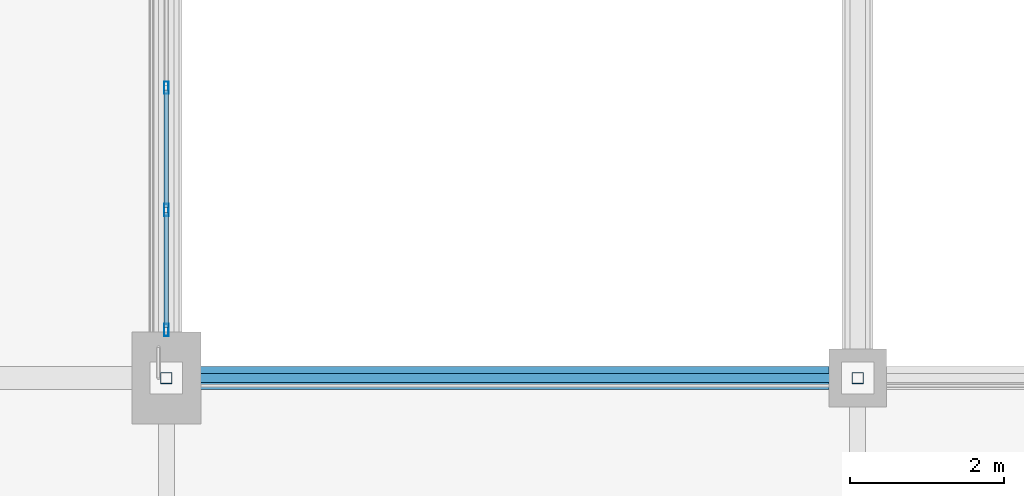
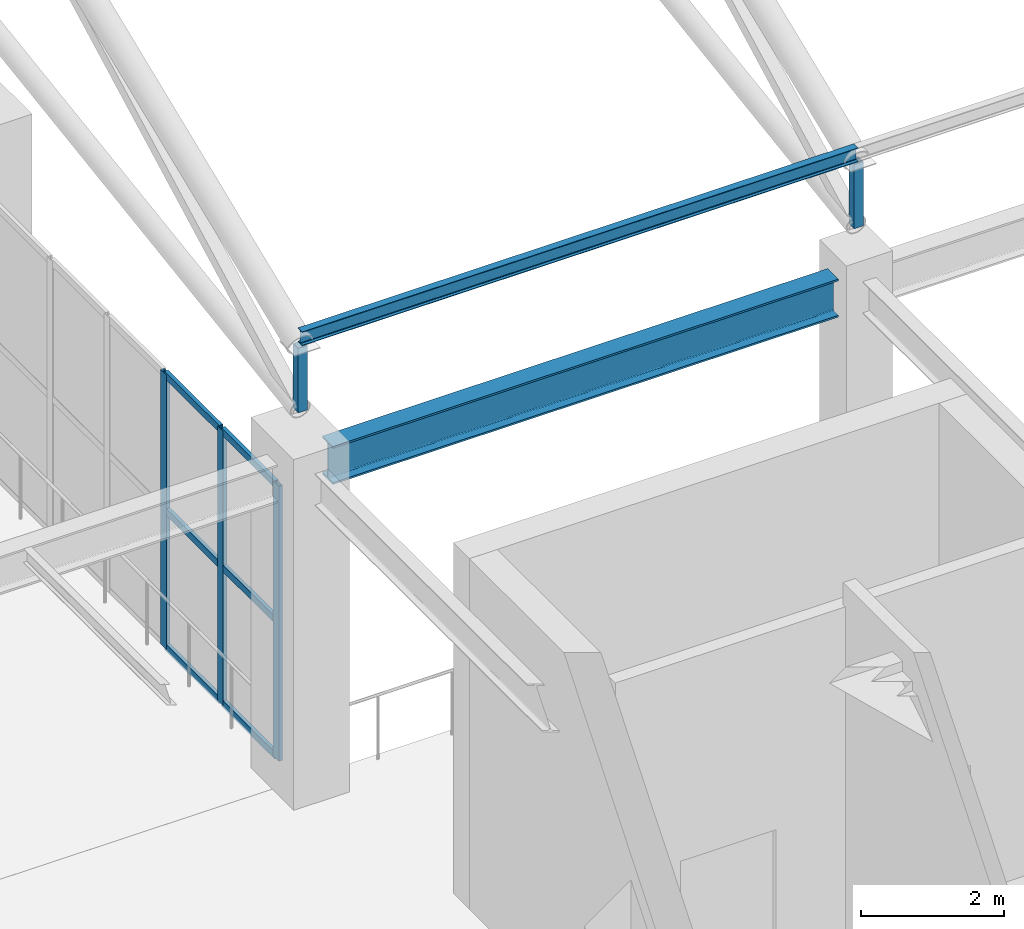
# One storey, part 31 of 223: 12 members, 1 beam, 1 element without a shape of its own.
"""IFC4 building model written with IfcOpenShell, lengths in metres."""

import ifcopenshell
import ifcopenshell.guid

model = None  # the IFC model being written
_history = None  # IfcOwnerHistory: only IFC2X3 demands one
_inside = {}  # id of a spatial element -> (the spatial element, [elements in it])
_under = {}  # id of a project, library or spatial element -> (it, [spatial elements below it])
_declared = {}  # id of a project -> (the project, [libraries it declares])
_typed = {}  # id of a type object -> (the type object, [elements of that type])
_made_of = {}  # id of a material, layer set ... -> (it, [elements and type objects made of it])


def new_model(schema):
    """Start an empty IFC model of exactly this schema.

    Asked for "IFC4X3", IfcOpenShell would pick the latest addendum, in which some entities
    have other attributes; the version numbers below select the first issue.
    IFC2X3 requires an IfcOwnerHistory on every rooted entity: one is made here for all.
    """
    global model, _history
    if schema == "IFC4X3":
        model = ifcopenshell.file(schema_version=(4, 3, 0, 0))
    else:
        model = ifcopenshell.file(schema=schema)
    _inside.clear()
    _under.clear()
    _declared.clear()
    _typed.clear()
    _made_of.clear()
    _history = None
    if model.schema == "IFC2X3":
        org = make("IfcOrganization", Name="unknown")
        user = make(
            "IfcPersonAndOrganization",
            ThePerson=make("IfcPerson", FamilyName="unknown"),
            TheOrganization=org,
        )
        app = make(
            "IfcApplication",
            ApplicationDeveloper=org,
            Version="unknown",
            ApplicationFullName="unknown",
            ApplicationIdentifier="unknown",
        )
        _history = make(
            "IfcOwnerHistory",
            OwningUser=user,
            OwningApplication=app,
            ChangeAction="ADDED",
            CreationDate=0,
        )
    return model


def make(cls, **values):
    """One entity of the class cls with the attributes given. An attribute that is None is left unset."""
    return model.create_entity(
        cls, **{name: value for name, value in values.items() if value is not None}
    )


def rooted(cls, **values):
    """An entity with a GlobalId (a new one), such as an element, a storey or a relation."""
    return make(cls, GlobalId=ifcopenshell.guid.new(), OwnerHistory=_history, **values)


def si_unit(unit_type, name, prefix=None):
    """IfcSIUnit, for example si_unit("LENGTHUNIT", "METRE", prefix="MILLI")."""
    return make("IfcSIUnit", UnitType=unit_type, Prefix=prefix, Name=name)


def assignment(units):
    """IfcUnitAssignment: the units of a project."""
    return None if units is None else make("IfcUnitAssignment", Units=units)


def point(xyz):
    """IfcCartesianPoint."""
    return None if xyz is None else make("IfcCartesianPoint", Coordinates=xyz)


def direction(xyz):
    """IfcDirection."""
    return None if xyz is None else make("IfcDirection", DirectionRatios=xyz)


def frame(location, z_axis=None, x_axis=None):
    """IfcAxis2Placement3D, a coordinate frame: its origin and axes. An axis left out is left unset."""
    return make(
        "IfcAxis2Placement3D",
        Location=point(location),
        Axis=direction(z_axis),
        RefDirection=direction(x_axis),
    )


def frame_2d(location, x_axis=None):
    """IfcAxis2Placement2D, a coordinate frame in the plane: its origin and x axis."""
    return make(
        "IfcAxis2Placement2D", Location=point(location), RefDirection=direction(x_axis)
    )


def origin():
    """The frame at (0, 0, 0) with its axes left unset."""
    return frame((0.0, 0.0, 0.0))


def origin_2d():
    """The frame at (0, 0) in the plane with its x axis left unset."""
    return frame_2d((0.0, 0.0))


def place(relative_to, where):
    """IfcLocalPlacement: puts the frame where relative to a parent placement (None: the world)."""
    return make(
        "IfcLocalPlacement", PlacementRelTo=relative_to, RelativePlacement=where
    )


def context(
    kind, dimensions, precision=None, world=None, true_north=None, identifier=None
):
    """IfcGeometricRepresentationContext, for example the 3D "Model" context."""
    return make(
        "IfcGeometricRepresentationContext",
        ContextIdentifier=identifier,
        ContextType=kind,
        CoordinateSpaceDimension=dimensions,
        Precision=precision,
        WorldCoordinateSystem=world,
        TrueNorth=true_north,
    )


def subcontext(parent, identifier, kind, view, scale=None):
    """IfcGeometricRepresentationSubContext, for example "Body" below "Model"."""
    return make(
        "IfcGeometricRepresentationSubContext",
        ContextIdentifier=identifier,
        ContextType=kind,
        ParentContext=parent,
        TargetScale=scale,
        TargetView=view,
    )


def project(units=None, contexts=None):
    """IfcProject with its units and contexts."""
    return rooted(
        "IfcProject",
        Name="project",
        RepresentationContexts=contexts,
        UnitsInContext=assignment(units),
    )


def spatial(cls, under=None, at=None, **own):
    """A site, building, storey or space (cls), placed at a placement, below another one or the project."""
    s = rooted(cls, ObjectPlacement=at, **own)
    if under is not None:
        _under.setdefault(under.id(), (under, []))[1].append(s)
    return s


def profile(cls, at=None, kind="AREA", **sizes):
    """A parametric profile (cls). Its sizes go by their IFC names, for example OverallWidth=200.0."""
    return make(cls, ProfileType=kind, Position=at, **sizes)


def hollow_rectangle(**sizes):
    """IfcRectangleHollowProfileDef."""
    return profile("IfcRectangleHollowProfileDef", **sizes)


def i_section(**sizes):
    """IfcIShapeProfileDef."""
    return profile("IfcIShapeProfileDef", **sizes)


def extrude(swept, where, along, depth):
    """IfcExtrudedAreaSolid: the profile swept, set in the frame where, extruded along a direction by depth."""
    return make(
        "IfcExtrudedAreaSolid",
        SweptArea=swept,
        Position=where,
        ExtrudedDirection=direction(along),
        Depth=depth,
    )


def shape(context_of_items, identifier, shape_type, items):
    """IfcShapeRepresentation: the items that make up one representation, for example the "Body"."""
    return make(
        "IfcShapeRepresentation",
        ContextOfItems=context_of_items,
        RepresentationIdentifier=identifier,
        RepresentationType=shape_type,
        Items=items,
    )


def material(Name=None, Category=None):
    """IfcMaterial."""
    return make("IfcMaterial", Name=Name, Category=Category)


def layer(
    of_material, thickness, ventilated=None, Name=None, Category=None, Priority=None
):
    """IfcMaterialLayer: one layer of a wall or slab, of a material (None: an air gap)."""
    return make(
        "IfcMaterialLayer",
        Material=of_material,
        LayerThickness=thickness,
        IsVentilated=ventilated,
        Name=Name,
        Category=Category,
        Priority=Priority,
    )


def layer_set(layers, Name=None):
    """IfcMaterialLayerSet."""
    return make("IfcMaterialLayerSet", MaterialLayers=layers, LayerSetName=Name)


def material_profile(
    of_material, cross_section, Name=None, Category=None, Priority=None
):
    """IfcMaterialProfile: a cross section and its material."""
    return make(
        "IfcMaterialProfile",
        Name=Name,
        Material=of_material,
        Profile=cross_section,
        Priority=Priority,
        Category=Category,
    )


def profile_set(profiles, Name=None, composite=None):
    """IfcMaterialProfileSet."""
    return make(
        "IfcMaterialProfileSet",
        Name=Name,
        MaterialProfiles=profiles,
        CompositeProfile=composite,
    )


def made_of(thing, what):
    """Note that an element or type object is made of a material, layer set ...; save() writes the relation."""
    if what is not None:
        _made_of.setdefault(what.id(), (what, []))[1].append(thing)
    return thing


def type_object(cls, material=None, **own):
    """A type object (cls), such as IfcWallType, which elements share."""
    return made_of(rooted(cls, **own), material)


def element(
    cls,
    number,
    at=None,
    inside=None,
    cuts=None,
    type_object=None,
    material=None,
    context=None,
    identifier="Body",
    shape_type=None,
    held_by="IfcProductDefinitionShape",
    body=None,
    shapes=None,
    **own,
):
    """One element of the class cls, such as IfcWall. Its Tag is "e" and its number.

    at: its placement. inside: the storey or other place that contains it. cuts: it is an
    opening in that element (IfcRelVoidsElement). A single representation is given by context,
    identifier, shape_type and body (its items); several are given by shapes. held_by: the class
    of the entity that holds the representations. save() writes the other relations.
    """
    e = rooted(cls, Tag="e%d" % number, ObjectPlacement=at, **own)
    if body is not None:
        shapes = [shape(context, identifier, shape_type, body)]
    if shapes is not None:
        e.Representation = make(held_by, Representations=shapes)
    if inside is not None:
        _inside.setdefault(inside.id(), (inside, []))[1].append(e)
    if cuts is not None:
        rooted(
            "IfcRelVoidsElement", RelatingBuildingElement=cuts, RelatedOpeningElement=e
        )
    if type_object is not None:
        _typed.setdefault(type_object.id(), (type_object, []))[1].append(e)
    return made_of(e, material)


def aggregate(whole, parts):
    """IfcRelAggregates: a whole, such as a stair, and the parts it consists of."""
    return rooted("IfcRelAggregates", RelatingObject=whole, RelatedObjects=parts)


def save(model, path):
    """Write the relations noted so far, then the file.

    IfcRelAggregates (storeys below a building ...), IfcRelContainedInSpatialStructure (elements
    in a storey), IfcRelDefinesByType, IfcRelAssociatesMaterial and IfcRelDeclares: one each for
    every whole, place, type object, material and project.
    """
    for whole, parts in _under.values():
        aggregate(whole, parts)
    for where, things in _inside.values():
        rooted(
            "IfcRelContainedInSpatialStructure",
            RelatedElements=things,
            RelatingStructure=where,
        )
    for kind, things in _typed.values():
        rooted("IfcRelDefinesByType", RelatedObjects=things, RelatingType=kind)
    for what, things in _made_of.values():
        rooted("IfcRelAssociatesMaterial", RelatedObjects=things, RelatingMaterial=what)
    for by, libraries in _declared.values():
        rooted("IfcRelDeclares", RelatingContext=by, RelatedDefinitions=libraries)
    model.write(path)


model = new_model("IFC4")

# Units and contexts
model_context = context("Model", 3, precision=1e-05, world=origin(), true_north=direction((0.0, 1.0)))
body_context = subcontext(model_context, "Body", "Model", "MODEL_VIEW")
ifc_project = project(units=[si_unit("LENGTHUNIT", "METRE"), si_unit("AREAUNIT", "SQUARE_METRE"), si_unit("VOLUMEUNIT", "CUBIC_METRE"), si_unit("PLANEANGLEUNIT", "RADIAN"), si_unit("MASSUNIT", "GRAM", prefix="KILO")], contexts=[model_context])

# Site, building, storey
site_placement = place(None, origin())
site = spatial("IfcSite", under=ifc_project, at=site_placement, CompositionType="ELEMENT")
building_placement = place(site_placement, origin())
building = spatial("IfcBuilding", under=site, at=building_placement, Name="Dornveld Trade and Exhibition Forum", CompositionType="ELEMENT")
storey_placement = place(building_placement, frame((0.0, 0.0, 6.0)))
storey = spatial("IfcBuildingStorey", under=building, at=storey_placement, Name="L01", CompositionType="ELEMENT", Elevation=6.0)

# Beam
ifc_material_1 = material(Name="Steel S355J2", Category="steel")
ifc_material_profile_1 = material_profile(ifc_material_1, i_section(OverallWidth=0.300048828125, OverallDepth=0.64990234375, WebThickness=0.01611328125, FlangeThickness=0.031005859375, FilletRadius=0.027099609375, at=origin_2d()), Name="HEB 650")
ifc_profile_set_1 = profile_set([ifc_material_profile_1], Name="Steel S355J2")
beam_type = type_object("IfcBeamType", Name="BM-GIR-HEB650", PredefinedType="USERDEFINED", material=ifc_profile_set_1)
beam_placement = place(storey_placement, frame((99.446044921875, 108.0, 5.31494140625), z_axis=(1.0, 0.0, 0.0), x_axis=(0.0, 1.0, 0.0)))
element("IfcBeam", 1, at=beam_placement, inside=storey, type_object=beam_type, Name="L01 X-girder 1192", ObjectType="GIRDER", PredefinedType="USERDEFINED", context=body_context, shape_type="SweptSolid", body=[
    extrude(i_section(OverallWidth=0.300048828125, OverallDepth=0.64990234375, WebThickness=0.01611328125, FlangeThickness=0.031005859375, FilletRadius=0.027099609375, at=origin_2d()), origin(), (0.0, 0.0, 1.0), 8.182861328125),
])

# Curtain wall, members
ifc_material_2 = material(Name="Dark-bronze anodised aluminium and low-E glass", Category="aluminium")
ifc_layer = layer(ifc_material_2, 0.166015625)
ifc_layer_set = layer_set([ifc_layer], Name="Dark-bronze anodised aluminium and low-E glass")
curtain_wall_type = type_object("IfcCurtainWallType", Name="CW-SYS-08", PredefinedType="USERDEFINED", material=ifc_layer_set)
curtain_wall_placement = place(storey_placement, origin())
curtain_wall = element("IfcCurtainWall", 2, at=curtain_wall_placement, inside=storey, type_object=curtain_wall_type, Name="L01 unitised curtain wall 8", ObjectType="UNITISED_CURTAIN_WALL", PredefinedType="USERDEFINED")
ifc_material_3 = material(Name="Dark-bronze anodised aluminium", Category="aluminium")
ifc_material_profile_2 = material_profile(ifc_material_3, hollow_rectangle(XDim=0.06005859375, YDim=0.159912109375, WallThickness=0.00390625, at=origin_2d()), Name="RHS 160x60x4")
ifc_profile_set_2 = profile_set([ifc_material_profile_2], Name="Dark-bronze anodised aluminium")
member_type_1 = type_object("IfcMemberType", Name="CW-MUL-160", PredefinedType="MULLION", material=ifc_profile_set_2)
member_1_placement = place(storey_placement, frame((99.0, 111.779296875, -0.00390625), z_axis=(0.0, 0.0, 1.0), x_axis=(1.0, 0.0, 0.0)))
member_1 = element("IfcMember", 3, at=member_1_placement, type_object=member_type_1, Name="CW-08 mullion 4", PredefinedType="MULLION", context=body_context, shape_type="SweptSolid", body=[
    extrude(hollow_rectangle(XDim=0.06005859375, YDim=0.159912109375, WallThickness=0.00390625, at=origin_2d()), origin(), (0.0, 0.0, 1.0), 4.703857421875),
])
member_2_placement = place(storey_placement, frame((99.0, 110.1875, -0.00390625), z_axis=(0.0, 0.0, 1.0), x_axis=(1.0, 0.0, 0.0)))
member_2 = element("IfcMember", 4, at=member_2_placement, type_object=member_type_1, Name="CW-08 mullion 5", PredefinedType="MULLION", context=body_context, shape_type="SweptSolid", body=[
    extrude(hollow_rectangle(XDim=0.06005859375, YDim=0.159912109375, WallThickness=0.00390625, at=origin_2d()), origin(), (0.0, 0.0, 1.0), 4.703857421875),
])
member_3_placement = place(storey_placement, frame((99.0, 108.6259765625, -0.00390625), z_axis=(0.0, 0.0, 1.0), x_axis=(1.0, 0.0, 0.0)))
member_3 = element("IfcMember", 5, at=member_3_placement, type_object=member_type_1, Name="CW-08 mullion 6", PredefinedType="MULLION", context=body_context, shape_type="SweptSolid", body=[
    extrude(hollow_rectangle(XDim=0.06005859375, YDim=0.159912109375, WallThickness=0.00390625, at=origin_2d()), origin(), (0.0, 0.0, 1.0), 4.703857421875),
])
ifc_material_4 = material(Name="Dark-bronze anodised aluminium", Category="aluminium")
ifc_material_profile_3 = material_profile(ifc_material_4, hollow_rectangle(XDim=0.06005859375, YDim=0.1201171875, WallThickness=0.00390625, at=origin_2d()), Name="RHS 120x60x4")
ifc_profile_set_3 = profile_set([ifc_material_profile_3], Name="Dark-bronze anodised aluminium")
member_type_2 = type_object("IfcMemberType", Name="CW-TRN-120", PredefinedType="USERDEFINED", material=ifc_profile_set_3)
member_4_placement = place(storey_placement, frame((99.0, 111.749267578125, 0.02587890625), z_axis=(0.0, -1.0, 0.0), x_axis=(1.0, 0.0, 0.0)))
member_4 = element("IfcMember", 6, at=member_4_placement, type_object=member_type_2, Name="CW-08 transom 4.1", ObjectType="TRANSOM", PredefinedType="USERDEFINED", context=body_context, shape_type="SweptSolid", body=[
    extrude(hollow_rectangle(XDim=0.06005859375, YDim=0.1201171875, WallThickness=0.00390625, at=origin_2d()), origin(), (0.0, 0.0, 1.0), 1.53173828125),
])
member_5_placement = place(storey_placement, frame((99.0, 111.749267578125, 2.347900390625), z_axis=(0.0, -1.0, 0.0), x_axis=(1.0, 0.0, 0.0)))
member_5 = element("IfcMember", 7, at=member_5_placement, type_object=member_type_2, Name="CW-08 transom 4.2", ObjectType="TRANSOM", PredefinedType="USERDEFINED", context=body_context, shape_type="SweptSolid", body=[
    extrude(hollow_rectangle(XDim=0.06005859375, YDim=0.1201171875, WallThickness=0.00390625, at=origin_2d()), origin(), (0.0, 0.0, 1.0), 1.53173828125),
])
member_6_placement = place(storey_placement, frame((99.0, 111.749267578125, 4.669921875), z_axis=(0.0, -1.0, 0.0), x_axis=(1.0, 0.0, 0.0)))
member_6 = element("IfcMember", 8, at=member_6_placement, type_object=member_type_2, Name="CW-08 transom 4.3", ObjectType="TRANSOM", PredefinedType="USERDEFINED", context=body_context, shape_type="SweptSolid", body=[
    extrude(hollow_rectangle(XDim=0.06005859375, YDim=0.1201171875, WallThickness=0.00390625, at=origin_2d()), origin(), (0.0, 0.0, 1.0), 1.53173828125),
])
member_7_placement = place(storey_placement, frame((99.0, 110.15771484375, 0.02587890625), z_axis=(0.0, -1.0, 0.0), x_axis=(1.0, 0.0, 0.0)))
member_7 = element("IfcMember", 9, at=member_7_placement, type_object=member_type_2, Name="CW-08 transom 5.1", ObjectType="TRANSOM", PredefinedType="USERDEFINED", context=body_context, shape_type="SweptSolid", body=[
    extrude(hollow_rectangle(XDim=0.06005859375, YDim=0.1201171875, WallThickness=0.00390625, at=origin_2d()), origin(), (0.0, 0.0, 1.0), 1.501708984375),
])
member_8_placement = place(storey_placement, frame((99.0, 110.15771484375, 2.347900390625), z_axis=(0.0, -1.0, 0.0), x_axis=(1.0, 0.0, 0.0)))
member_8 = element("IfcMember", 10, at=member_8_placement, type_object=member_type_2, Name="CW-08 transom 5.2", ObjectType="TRANSOM", PredefinedType="USERDEFINED", context=body_context, shape_type="SweptSolid", body=[
    extrude(hollow_rectangle(XDim=0.06005859375, YDim=0.1201171875, WallThickness=0.00390625, at=origin_2d()), origin(), (0.0, 0.0, 1.0), 1.501708984375),
])
member_9_placement = place(storey_placement, frame((99.0, 110.15771484375, 4.669921875), z_axis=(0.0, -1.0, 0.0), x_axis=(1.0, 0.0, 0.0)))
member_9 = element("IfcMember", 11, at=member_9_placement, type_object=member_type_2, Name="CW-08 transom 5.3", ObjectType="TRANSOM", PredefinedType="USERDEFINED", context=body_context, shape_type="SweptSolid", body=[
    extrude(hollow_rectangle(XDim=0.06005859375, YDim=0.1201171875, WallThickness=0.00390625, at=origin_2d()), origin(), (0.0, 0.0, 1.0), 1.501708984375),
])
aggregate(curtain_wall, [member_1, member_2, member_3, member_4, member_5, member_6, member_7, member_8, member_9])

# Members
ifc_material_5 = material(Name="Steel S355J2", Category="steel")
ifc_material_profile_4 = material_profile(ifc_material_5, hollow_rectangle(XDim=0.14990234375, YDim=0.14990234375, WallThickness=0.008056640625, at=origin_2d()), Name="SHS 150x150x8")
ifc_profile_set_4 = profile_set([ifc_material_profile_4], Name="Steel S355J2")
member_type_3 = type_object("IfcMemberType", Name="MEM-ARCH-STR", PredefinedType="STRUT", material=ifc_profile_set_4)
for number, where, z_axis, x_axis, name in (
    (12, (99.0, 108.0, 6.35009765625), (0.0, 0.0, 1.0), (1.0, 0.0, 0.0), "H1 truss 1 strut 1"),
    (13, (108.0, 108.0, 6.35009765625), (0.0, 0.0, 1.0), (1.0, 0.0, 0.0), "H1 truss 2 strut 1"),
):
    element("IfcMember", number, at=place(storey_placement, frame(where, z_axis=z_axis, x_axis=x_axis)), inside=storey, type_object=member_type_3, Name=name, PredefinedType="STRUT", context=body_context, shape_type="SweptSolid", body=[
        extrude(hollow_rectangle(XDim=0.14990234375, YDim=0.14990234375, WallThickness=0.008056640625, at=origin_2d()), origin(), (0.0, 0.0, 1.0), 1.099853515625),
    ])
ifc_material_6 = material(Name="Steel S355J2", Category="steel")
ifc_material_profile_5 = material_profile(ifc_material_6, i_section(OverallWidth=0.1201171875, OverallDepth=0.239990234375, WebThickness=0.006103515625, FlangeThickness=0.009765625, FilletRadius=0.014892578125, at=origin_2d()), Name="IPE 240")
ifc_profile_set_5 = profile_set([ifc_material_profile_5], Name="Steel S355J2")
member_type_4 = type_object("IfcMemberType", Name="MEM-PURLIN-240", PredefinedType="PURLIN", material=ifc_profile_set_5)
member_10_placement = place(storey_placement, frame((99.0, 108.0, 7.58203125), z_axis=(1.0, 0.0, 0.0), x_axis=(0.0, 1.0, 0.0)))
element("IfcMember", 14, at=member_10_placement, inside=storey, type_object=member_type_4, Name="H1 bay 1 roof purlin 1", PredefinedType="PURLIN", context=body_context, shape_type="SweptSolid", body=[
    extrude(i_section(OverallWidth=0.1201171875, OverallDepth=0.239990234375, WebThickness=0.006103515625, FlangeThickness=0.009765625, FilletRadius=0.014892578125, at=origin_2d()), origin(), (0.0, 0.0, 1.0), 9.0),
])

save(model, "model.ifc")
